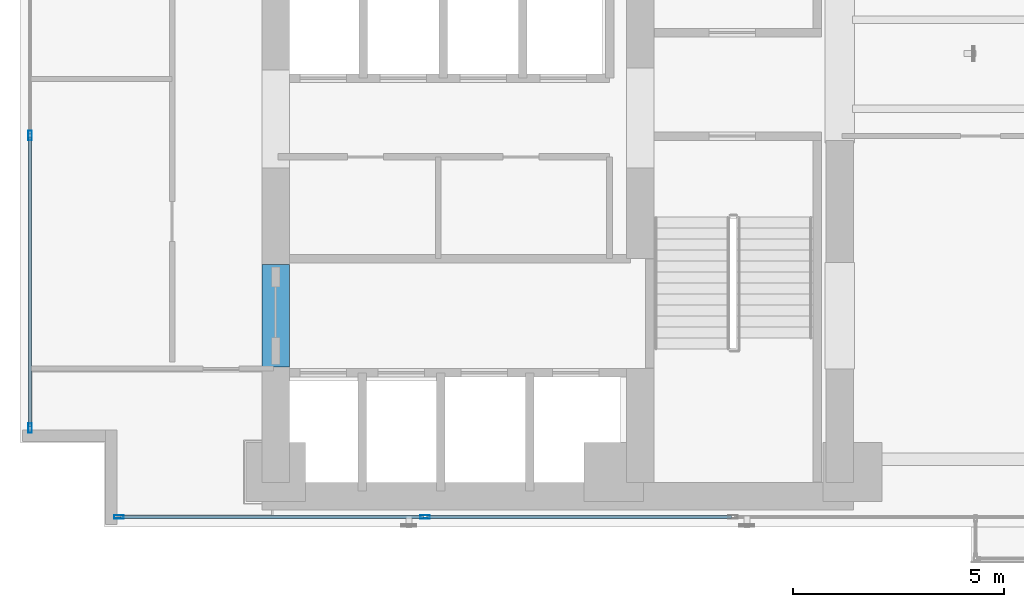
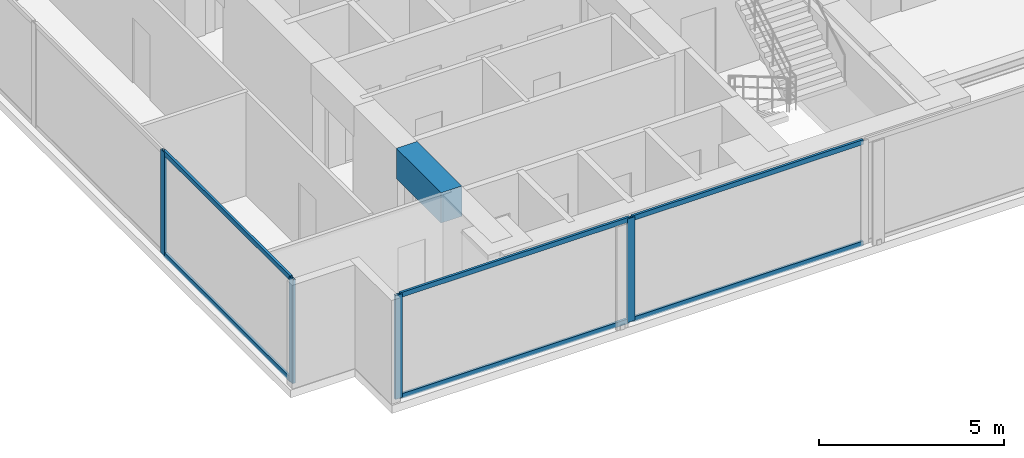
# One storey, part 2 of 25: 10 members, 1 beam, 2 elements without a shape of their own.
"""IFC4 building model written with IfcOpenShell, lengths in metres."""

from ifc_helpers import new_model, si_unit, direction, frame, origin, origin_with_axes, origin_2d, place, context, subcontext, project, spatial, rectangle, hollow_rectangle, extrude, source, transform, mapped, material, layer, layer_set, material_profile, profile_set, type_object, element, aggregate, save


model = new_model("IFC4")

# Units and contexts
model_context = context("Model", 3, precision=1e-05, world=origin(), true_north=direction((0.0, 1.0)))
body_context = subcontext(model_context, "Body", "Model", "MODEL_VIEW")
ifc_project = project(units=[si_unit("LENGTHUNIT", "METRE"), si_unit("AREAUNIT", "SQUARE_METRE"), si_unit("VOLUMEUNIT", "CUBIC_METRE"), si_unit("PLANEANGLEUNIT", "RADIAN"), si_unit("MASSUNIT", "GRAM", prefix="KILO")], contexts=[model_context])

# Site, building, storey
site_placement = place(None, origin())
site = spatial("IfcSite", under=ifc_project, at=site_placement, CompositionType="ELEMENT")
building_placement = place(site_placement, origin())
building = spatial("IfcBuilding", under=site, at=building_placement, Name="Kolvaren Waterfront Exchange", CompositionType="ELEMENT")
storey_placement = place(building_placement, frame((0.0, 0.0, 137.300048828125)))
storey = spatial("IfcBuildingStorey", under=building, at=storey_placement, Name="L35", CompositionType="ELEMENT", Elevation=137.300048828125)

# Beam
ifc_material_1 = material(Name="Concrete C60/75", Category="concrete")
ifc_material_profile_1 = material_profile(ifc_material_1, rectangle(XDim=0.64990234375, YDim=1.0, at=origin_2d()), Name="RC-CB-1000x650")
ifc_profile_set_1 = profile_set([ifc_material_profile_1], Name="Concrete C60/75")
beam_type = type_object("IfcBeamType", Name="STR-CB-1000", PredefinedType="SPANDREL", material=ifc_profile_set_1)
beam_placement = place(storey_placement, frame((7.449951171875, 7.389892578125, 2.919921875), z_axis=(0.0, 1.0, 0.0), x_axis=(-1.0, 0.0, 0.0)))
element("IfcBeam", 1, at=beam_placement, inside=storey, type_object=beam_type, Name="L35 core coupling beam 3", PredefinedType="SPANDREL", context=body_context, shape_type="SweptSolid", body=[
    extrude(rectangle(XDim=0.64990234375, YDim=1.0, at=origin_2d()), origin(), (0.0, 0.0, 1.0), 2.420166015625),
])

# Curtain wall, members
ifc_material_2 = material(Name="Anodised bronze aluminium 6063-T6", Category="aluminium")
ifc_layer_1 = layer(ifc_material_2, 0.219970703125, Name="Anodised bronze aluminium 6063-T6")
ifc_layer_set_1 = layer_set([ifc_layer_1], Name="Anodised bronze aluminium 6063-T6")
curtain_wall_type_1 = type_object("IfcCurtainWallType", Name="ARC-CW-SYS1", PredefinedType="USERDEFINED", material=ifc_layer_set_1)
curtain_wall_1_placement = place(storey_placement, origin())
curtain_wall_1 = element("IfcCurtainWall", 2, at=curtain_wall_1_placement, inside=storey, type_object=curtain_wall_type_1, Name="L35 stick curtain wall CW1 (CW-L35-S)", ObjectType="STICK CURTAIN WALL", PredefinedType="USERDEFINED")
ifc_material_3 = material(Name="Anodised aluminium 6063-T6", Category="aluminium")
ifc_material_profile_2 = material_profile(ifc_material_3, hollow_rectangle(XDim=0.080078125, YDim=0.219970703125, WallThickness=0.0048828125, at=origin_2d()), Name="ALU-MUL-220x80x5")
ifc_profile_set_2 = profile_set([ifc_material_profile_2], Name="Anodised aluminium 6063-T6")
member_type_1 = type_object("IfcMemberType", Name="ARC-CWM-220", PredefinedType="MULLION", material=ifc_profile_set_2)
shared_shape_1 = source(origin_with_axes(), body_context, "Body", "SweptSolid", [
    extrude(hollow_rectangle(XDim=0.080078125, YDim=0.219970703125, WallThickness=0.0048828125, at=origin_2d()), origin(), (0.0, 0.0, 1.0), 3.419921875),
])
member_1_placement = place(storey_placement, frame((3.739990234375, 3.840087890625, 0.0), z_axis=(0.0, 0.0, 1.0), x_axis=(0.0, 1.0, 0.0)))
member_1 = element("IfcMember", 3, at=member_1_placement, type_object=member_type_1, Name="CW1 mullion 1", PredefinedType="MULLION", context=body_context, shape_type="MappedRepresentation", body=[
    mapped(shared_shape_1, transform((0.0, 0.0, 0.0), x_axis=(1.0, 0.0, 0.0), y_axis=(0.0, 1.0, 0.0), z_axis=(0.0, 0.0, 1.0), scale=1.0)),
])
member_2_placement = place(storey_placement, frame((10.985595703125, 3.840087890625, 0.0), z_axis=(0.0, 0.0, 1.0), x_axis=(0.0, 1.0, 0.0)))
member_2 = element("IfcMember", 4, at=member_2_placement, type_object=member_type_1, Name="CW1 mullion 2", PredefinedType="MULLION", context=body_context, shape_type="MappedRepresentation", body=[
    mapped(shared_shape_1, transform((0.0, 0.0, 0.0), x_axis=(1.0, 0.0, 0.0), y_axis=(0.0, 1.0, 0.0), z_axis=(0.0, 0.0, 1.0), scale=1.0)),
])

ifc_layer_2 = layer(ifc_material_3, 0.219970703125, Name="Anodised aluminium 6063-T6")
ifc_layer_set_2 = layer_set([ifc_layer_2], Name="Anodised aluminium 6063-T6")
curtain_wall_type_2 = type_object("IfcCurtainWallType", Name="ARC-CW-SYS2", PredefinedType="USERDEFINED", material=ifc_layer_set_2)
curtain_wall_2_placement = place(storey_placement, origin())
curtain_wall_2 = element("IfcCurtainWall", 5, at=curtain_wall_2_placement, inside=storey, type_object=curtain_wall_type_2, Name="L35 stick curtain wall CW2 (CW-L35-W)", ObjectType="STICK CURTAIN WALL", PredefinedType="USERDEFINED")
member_3_placement = place(storey_placement, frame((1.639892578125, 5.93994140625, 0.0), z_axis=(0.0, 0.0, 1.0), x_axis=(-1.0, 0.0, 0.0)))
member_3 = element("IfcMember", 6, at=member_3_placement, type_object=member_type_1, Name="CW2 mullion 1", PredefinedType="MULLION", context=body_context, shape_type="MappedRepresentation", body=[
    mapped(shared_shape_1, transform((0.0, 0.0, 0.0), x_axis=(1.0, 0.0, 0.0), y_axis=(0.0, 1.0, 0.0), z_axis=(0.0, 0.0, 1.0), scale=1.0)),
])
member_4_placement = place(storey_placement, frame((1.639892578125, 12.86669921875, 0.0), z_axis=(0.0, 0.0, 1.0), x_axis=(-1.0, 0.0, 0.0)))
member_4 = element("IfcMember", 7, at=member_4_placement, type_object=member_type_1, Name="CW2 mullion 2", PredefinedType="MULLION", context=body_context, shape_type="MappedRepresentation", body=[
    mapped(shared_shape_1, transform((0.0, 0.0, 0.0), x_axis=(1.0, 0.0, 0.0), y_axis=(0.0, 1.0, 0.0), z_axis=(0.0, 0.0, 1.0), scale=1.0)),
])
ifc_material_profile_3 = material_profile(ifc_material_3, hollow_rectangle(XDim=0.074951171875, YDim=0.159912109375, WallThickness=0.00439453125, at=origin_2d()), Name="ALU-TRN-160x75x4.5")
ifc_profile_set_3 = profile_set([ifc_material_profile_3], Name="Anodised aluminium 6063-T6")
member_type_2 = type_object("IfcMemberType", Name="ARC-CWT-160", PredefinedType="USERDEFINED", material=ifc_profile_set_3)
shared_shape_2 = source(origin_with_axes(), body_context, "Body", "SweptSolid", [
    extrude(hollow_rectangle(XDim=0.074951171875, YDim=0.159912109375, WallThickness=0.00439453125, at=origin_2d()), origin(), (0.0, 0.0, 1.0), 6.8466796875),
])
member_5_placement = place(storey_placement, frame((1.639892578125, 5.97998046875, 0.037353515625), z_axis=(0.0, 1.0, 0.0), x_axis=(-1.0, 0.0, 0.0)))
member_5 = element("IfcMember", 8, at=member_5_placement, type_object=member_type_2, Name="CW2 transom 1.1", ObjectType="TRANSOM", PredefinedType="USERDEFINED", context=body_context, shape_type="MappedRepresentation", body=[
    mapped(shared_shape_2, transform((0.0, 0.0, 0.0), x_axis=(1.0, 0.0, 0.0), y_axis=(0.0, 1.0, 0.0), z_axis=(0.0, 0.0, 1.0), scale=1.0)),
])
member_6_placement = place(storey_placement, frame((1.639892578125, 5.97998046875, 3.382568359375), z_axis=(0.0, 1.0, 0.0), x_axis=(-1.0, 0.0, 0.0)))
member_6 = element("IfcMember", 9, at=member_6_placement, type_object=member_type_2, Name="CW2 transom 1.2", ObjectType="TRANSOM", PredefinedType="USERDEFINED", context=body_context, shape_type="MappedRepresentation", body=[
    mapped(shared_shape_2, transform((0.0, 0.0, 0.0), x_axis=(1.0, 0.0, 0.0), y_axis=(0.0, 1.0, 0.0), z_axis=(0.0, 0.0, 1.0), scale=1.0)),
])
aggregate(curtain_wall_2, [member_3, member_4, member_5, member_6])

# Member
shared_shape_3 = source(origin_with_axes(), body_context, "Body", "SweptSolid", [
    extrude(hollow_rectangle(XDim=0.074951171875, YDim=0.159912109375, WallThickness=0.00439453125, at=origin_2d()), origin(), (0.0, 0.0, 1.0), 7.165771484375),
])
member_7_placement = place(storey_placement, frame((3.780029296875, 3.840087890625, 0.037353515625), z_axis=(1.0, 0.0, 0.0), x_axis=(0.0, 1.0, 0.0)))
member_7 = element("IfcMember", 10, at=member_7_placement, type_object=member_type_2, Name="CW1 transom 1.1", ObjectType="TRANSOM", PredefinedType="USERDEFINED", context=body_context, shape_type="MappedRepresentation", body=[
    mapped(shared_shape_3, transform((0.0, 0.0, 0.0), x_axis=(1.0, 0.0, 0.0), y_axis=(0.0, 1.0, 0.0), z_axis=(0.0, 0.0, 1.0), scale=1.0)),
])

member_8_placement = place(storey_placement, frame((3.780029296875, 3.840087890625, 3.382568359375), z_axis=(1.0, 0.0, 0.0), x_axis=(0.0, 1.0, 0.0)))
member_8 = element("IfcMember", 11, at=member_8_placement, type_object=member_type_2, Name="CW1 transom 1.2", ObjectType="TRANSOM", PredefinedType="USERDEFINED", context=body_context, shape_type="MappedRepresentation", body=[
    mapped(shared_shape_3, transform((0.0, 0.0, 0.0), x_axis=(1.0, 0.0, 0.0), y_axis=(0.0, 1.0, 0.0), z_axis=(0.0, 0.0, 1.0), scale=1.0)),
])

shared_shape_4 = source(origin_with_axes(), body_context, "Body", "SweptSolid", [
    extrude(hollow_rectangle(XDim=0.074951171875, YDim=0.159912109375, WallThickness=0.00439453125, at=origin_2d()), origin(), (0.0, 0.0, 1.0), 7.205810546875),
])
member_9_placement = place(storey_placement, frame((11.025634765625, 3.840087890625, 0.037353515625), z_axis=(1.0, 0.0, 0.0), x_axis=(0.0, 1.0, 0.0)))
member_9 = element("IfcMember", 12, at=member_9_placement, type_object=member_type_2, Name="CW1 transom 2.1", ObjectType="TRANSOM", PredefinedType="USERDEFINED", context=body_context, shape_type="MappedRepresentation", body=[
    mapped(shared_shape_4, transform((0.0, 0.0, 0.0), x_axis=(1.0, 0.0, 0.0), y_axis=(0.0, 1.0, 0.0), z_axis=(0.0, 0.0, 1.0), scale=1.0)),
])

member_10_placement = place(storey_placement, frame((11.025634765625, 3.840087890625, 3.382568359375), z_axis=(1.0, 0.0, 0.0), x_axis=(0.0, 1.0, 0.0)))
member_10 = element("IfcMember", 13, at=member_10_placement, type_object=member_type_2, Name="CW1 transom 2.2", ObjectType="TRANSOM", PredefinedType="USERDEFINED", context=body_context, shape_type="MappedRepresentation", body=[
    mapped(shared_shape_4, transform((0.0, 0.0, 0.0), x_axis=(1.0, 0.0, 0.0), y_axis=(0.0, 1.0, 0.0), z_axis=(0.0, 0.0, 1.0), scale=1.0)),
])

aggregate(curtain_wall_1, [member_1, member_2, member_7, member_8, member_9, member_10])

save(model, "model.ifc")
